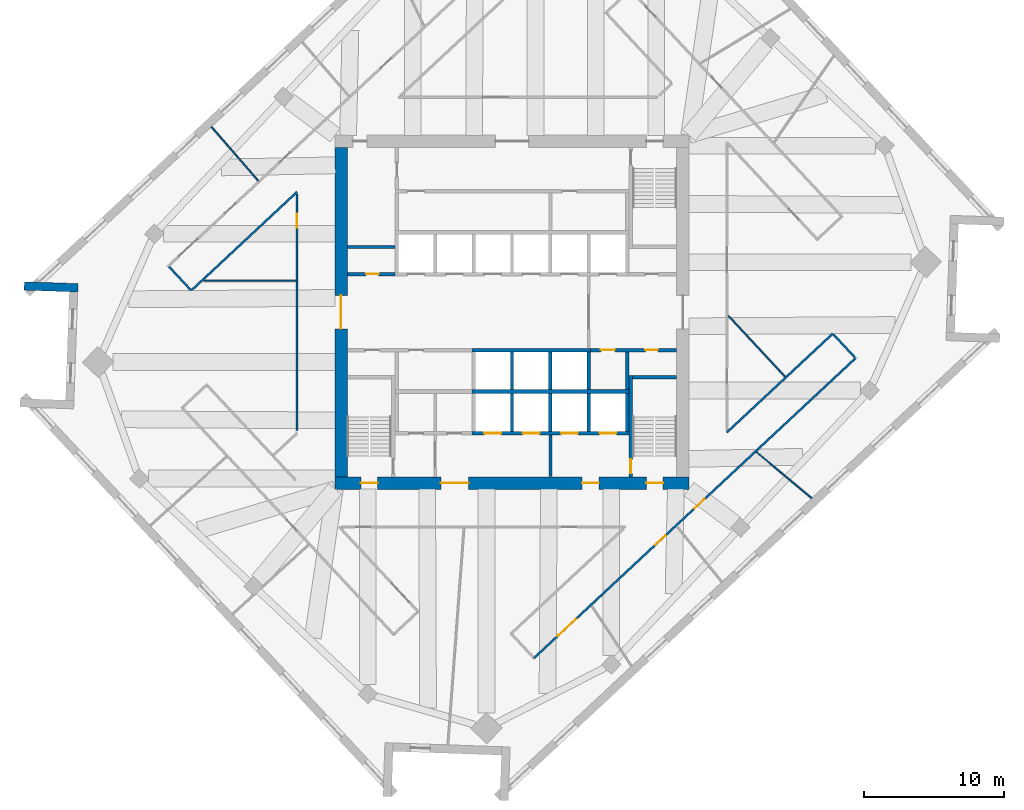
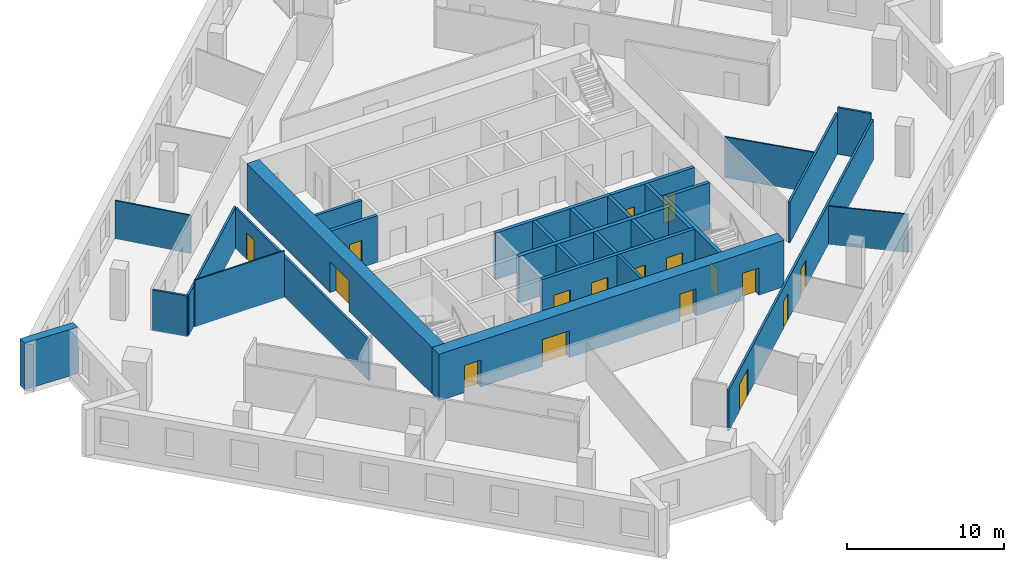
# One storey, part 5 of 10: 30 walls, 17 doors, 17 openings.
"""IFC4 building model written with IfcOpenShell, lengths in metres."""

from ifc_helpers import new_model, si_unit, direction, frame, frame_2d, origin, place, context, subcontext, project, spatial, rectangle, extrude, material, layer, layer_set, type_object, element, fill, save


model = new_model("IFC4")

# Units and contexts
model_context = context("Model", 3, precision=1e-05, world=origin(), true_north=direction((0.0, 1.0)))
body_context = subcontext(model_context, "Body", "Model", "MODEL_VIEW")
ifc_project = project(units=[si_unit("LENGTHUNIT", "METRE"), si_unit("AREAUNIT", "SQUARE_METRE"), si_unit("VOLUMEUNIT", "CUBIC_METRE"), si_unit("PLANEANGLEUNIT", "RADIAN"), si_unit("MASSUNIT", "GRAM", prefix="KILO")], contexts=[model_context])

# Site, building, storey
site_placement = place(None, origin())
site = spatial("IfcSite", under=ifc_project, at=site_placement, CompositionType="ELEMENT")
building_placement = place(site_placement, origin())
building = spatial("IfcBuilding", under=site, at=building_placement, Name="Dilmun Exchange Tower", CompositionType="ELEMENT")
storey_placement = place(building_placement, frame((0.0, 0.0, 201.300048828125)))
storey = spatial("IfcBuildingStorey", under=building, at=storey_placement, Name="L47", CompositionType="ELEMENT", Elevation=201.300048828125)

# Walls
ifc_material_1 = material(Name="Concrete C40/50", Category="concrete")
ifc_layer_1 = layer(ifc_material_1, 0.199951171875)
ifc_layer_set_1 = layer_set([ifc_layer_1], Name="Concrete C40/50")
wall_type_1 = type_object("IfcWallType", Name="Core partition wall 200", PredefinedType="PARTITIONING", material=ifc_layer_set_1)
wall_1_placement = place(storey_placement, frame((2.75, -11.794921875, 0.0), z_axis=(0.0, 0.0, 1.0), x_axis=(0.0, 1.0, 0.0)))
element("IfcWall", 1, at=wall_1_placement, inside=storey, type_object=wall_type_1, Name="L47 core partition wall 02", PredefinedType="PARTITIONING", context=body_context, shape_type="SweptSolid", body=[
    extrude(rectangle(XDim=2.989990234375, YDim=0.199951171875, at=frame_2d((1.4951171875, 0.0))), origin(), (0.0, 0.0, 1.0), 3.619873046875),
])
wall_2_placement = place(storey_placement, frame((-11.794921875, 4.675048828125, 0.0), z_axis=(0.0, 0.0, 1.0), x_axis=(1.0, 0.0, 0.0)))
element("IfcWall", 2, at=wall_2_placement, inside=storey, type_object=wall_type_1, Name="L47 core partition wall 14", PredefinedType="PARTITIONING", context=body_context, shape_type="SweptSolid", body=[
    extrude(rectangle(XDim=3.4150390625, YDim=0.199951171875, at=frame_2d((1.70751953125, 0.0))), origin(), (0.0, 0.0, 1.0), 3.619873046875),
])
ifc_layer_2 = layer(ifc_material_1, 0.25)
ifc_layer_set_2 = layer_set([ifc_layer_2], Name="Concrete C40/50")
wall_type_2 = type_object("IfcWallType", Name="Core partition wall 250", PredefinedType="PARTITIONING", material=ifc_layer_set_2)
wall_3_placement = place(storey_placement, frame((8.25, -5.544921875, 0.0), z_axis=(0.0, 0.0, 1.0), x_axis=(0.0, 1.0, 0.0)))
element("IfcWall", 3, at=wall_3_placement, inside=storey, type_object=wall_type_2, Name="L47 core partition wall 08", PredefinedType="PARTITIONING", context=body_context, shape_type="SweptSolid", body=[
    extrude(rectangle(XDim=2.68994140625, YDim=0.25, at=frame_2d((1.344970703125, 0.0))), origin(), (0.0, 0.0, 1.0), 3.619873046875),
])

# Wall, openings, doors
wall_4_placement = place(storey_placement, frame((5.6298828125, -2.72509765625, 0.0), z_axis=(0.0, 0.0, 1.0), x_axis=(1.0, 0.0, 0.0)))
wall_4 = element("IfcWall", 4, at=wall_4_placement, inside=storey, type_object=wall_type_2, Name="L47 core partition wall 10", PredefinedType="PARTITIONING", context=body_context, shape_type="SweptSolid", body=[
    extrude(rectangle(XDim=6.1650390625, YDim=0.25, at=frame_2d((3.08251953125, 0.0))), origin(), (0.0, 0.0, 1.0), 3.619873046875),
])
opening_1_placement = place(wall_4_placement, frame((0.7451171875, 0.0, 0.0)))
opening_1 = element("IfcOpeningElement", 5, at=opening_1_placement, cuts=wall_4, Name="Opening CD4", PredefinedType="OPENING", context=body_context, shape_type="SweptSolid", body=[
    extrude(rectangle(XDim=1.0, YDim=2.10009765625, at=frame_2d((0.5, 1.050048828125))), frame((0.0, 0.135009765625, 0.0), z_axis=(0.0, -1.0, 0.0), x_axis=(1.0, 0.0, 0.0)), (0.0, 0.0, 1.0), 0.27001953125),
])
opening_2_placement = place(wall_4_placement, frame((3.919921875, 0.0, 0.0)))
opening_2 = element("IfcOpeningElement", 6, at=opening_2_placement, cuts=wall_4, Name="Opening CD6", PredefinedType="OPENING", context=body_context, shape_type="SweptSolid", body=[
    extrude(rectangle(XDim=0.89990234375, YDim=2.10009765625, at=frame_2d((0.449951171875, 1.050048828125))), frame((0.0, 0.135009765625, 0.0), z_axis=(0.0, -1.0, 0.0), x_axis=(1.0, 0.0, 0.0)), (0.0, 0.0, 1.0), 0.27001953125),
])
ifc_material_2 = material(Name="Fire-rated steel door set", Category="steel")
door_type_1 = type_object("IfcDoorType", Name="Core room door 1000x2100", OperationType="SINGLE_SWING_LEFT", PredefinedType="DOOR", material=ifc_material_2)
door_1_placement = place(opening_1_placement, origin())
door_1 = element("IfcDoor", 7, at=door_1_placement, inside=storey, type_object=door_type_1, Name="L47 door Cleaners' store", OperationType="SINGLE_SWING_RIGHT", OverallHeight=2.10009765625, OverallWidth=1.0, PredefinedType="DOOR", context=body_context, shape_type="SweptSolid", body=[
    extrude(rectangle(XDim=1.0, YDim=2.10009765625, at=frame_2d((0.5, 1.050048828125))), frame((0.0, 0.02490234375, 0.0), z_axis=(0.0, -1.0, 0.0), x_axis=(1.0, 0.0, 0.0)), (0.0, 0.0, 1.0), 0.050048828125),
])
fill(opening_1, door_1)
door_type_2 = type_object("IfcDoorType", Name="Core room door 900x2100", OperationType="SINGLE_SWING_LEFT", PredefinedType="DOOR", material=ifc_material_2)
door_2_placement = place(opening_2_placement, origin())
door_2 = element("IfcDoor", 8, at=door_2_placement, inside=storey, type_object=door_type_2, Name="L47 door Comms riser", OperationType="SINGLE_SWING_RIGHT", OverallHeight=2.10009765625, OverallWidth=0.89990234375, PredefinedType="DOOR", context=body_context, shape_type="SweptSolid", body=[
    extrude(rectangle(XDim=0.89990234375, YDim=2.10009765625, at=frame_2d((0.449951171875, 1.050048828125))), frame((0.0, 0.02490234375, 0.0), z_axis=(0.0, -1.0, 0.0), x_axis=(1.0, 0.0, 0.0)), (0.0, 0.0, 1.0), 0.050048828125),
])
fill(opening_2, door_2)

# Wall, opening, door
wall_5_placement = place(storey_placement, frame((-11.794921875, 2.72509765625, 0.0), z_axis=(0.0, 0.0, 1.0), x_axis=(1.0, 0.0, 0.0)))
wall_5 = element("IfcWall", 9, at=wall_5_placement, inside=storey, type_object=wall_type_2, Name="L47 core partition wall 12", PredefinedType="PARTITIONING", context=body_context, shape_type="SweptSolid", body=[
    extrude(rectangle(XDim=3.4150390625, YDim=0.25, at=frame_2d((1.70751953125, 0.0))), origin(), (0.0, 0.0, 1.0), 3.619873046875),
])
opening_3_placement = place(wall_5_placement, frame((1.344970703125, 0.0, 0.0)))
opening_3 = element("IfcOpeningElement", 10, at=opening_3_placement, cuts=wall_5, Name="Opening CD6", PredefinedType="OPENING", context=body_context, shape_type="SweptSolid", body=[
    extrude(rectangle(XDim=0.89990234375, YDim=2.10009765625, at=frame_2d((0.449951171875, 1.050048828125))), frame((0.0, 0.135009765625, 0.0), z_axis=(0.0, -1.0, 0.0), x_axis=(1.0, 0.0, 0.0)), (0.0, 0.0, 1.0), 0.27001953125),
])
door_3_placement = place(opening_3_placement, origin())
door_3 = element("IfcDoor", 11, at=door_3_placement, inside=storey, type_object=door_type_2, Name="L47 door Plumbing riser", OperationType="SINGLE_SWING_RIGHT", OverallHeight=2.10009765625, OverallWidth=0.89990234375, PredefinedType="DOOR", context=body_context, shape_type="SweptSolid", body=[
    extrude(rectangle(XDim=0.89990234375, YDim=2.10009765625, at=frame_2d((0.449951171875, 1.050048828125))), frame((0.0, 0.02490234375, 0.0), z_axis=(0.0, -1.0, 0.0), x_axis=(1.0, 0.0, 0.0)), (0.0, 0.0, 1.0), 0.050048828125),
])
fill(opening_3, door_3)

# Wall, openings, doors
ifc_material_3 = material(Name="Concrete C60/75", Category="concrete")
ifc_layer_3 = layer(ifc_material_3, 0.89990234375)
ifc_layer_set_3 = layer_set([ifc_layer_3], Name="Concrete C60/75")
wall_type_3 = type_object("IfcWallType", Name="Core shear wall 900 Concrete C60/75", PredefinedType="SHEAR", material=ifc_layer_set_3)
wall_6_placement = place(storey_placement, frame((-12.699951171875, -12.25, 0.0), z_axis=(0.0, 0.0, 1.0), x_axis=(1.0, 0.0, 0.0)))
wall_6 = element("IfcWall", 12, at=wall_6_placement, inside=storey, type_object=wall_type_3, Name="L47 core shear wall S", PredefinedType="SHEAR", context=body_context, shape_type="SweptSolid", body=[
    extrude(rectangle(XDim=25.39990234375, YDim=0.89990234375, at=frame_2d((12.699951171875, 0.0))), origin(), (0.0, 0.0, 1.0), 3.619873046875),
])
opening_4_placement = place(wall_6_placement, frame((7.60009765625, 0.0, 0.0)))
opening_4 = element("IfcOpeningElement", 13, at=opening_4_placement, cuts=wall_6, Name="Opening CD2", PredefinedType="OPENING", context=body_context, shape_type="SweptSolid", body=[
    extrude(rectangle(XDim=2.0, YDim=2.10009765625, at=frame_2d((1.0, 1.050048828125))), frame((0.0, 0.4599609375, 0.0), z_axis=(0.0, -1.0, 0.0), x_axis=(1.0, 0.0, 0.0)), (0.0, 0.0, 1.0), 0.919921875),
])
opening_5_placement = place(wall_6_placement, frame((17.72509765625, 0.0, 0.0)))
opening_5 = element("IfcOpeningElement", 14, at=opening_5_placement, cuts=wall_6, Name="Opening CD3", PredefinedType="OPENING", context=body_context, shape_type="SweptSolid", body=[
    extrude(rectangle(XDim=1.199951171875, YDim=2.10009765625, at=frame_2d((0.60009765625, 1.050048828125))), frame((0.0, 0.4599609375, 0.0), z_axis=(0.0, -1.0, 0.0), x_axis=(1.0, 0.0, 0.0)), (0.0, 0.0, 1.0), 0.919921875),
])
opening_6_placement = place(wall_6_placement, frame((1.875, 0.0, 0.0)))
opening_6 = element("IfcOpeningElement", 15, at=opening_6_placement, cuts=wall_6, Name="Opening CD3", PredefinedType="OPENING", context=body_context, shape_type="SweptSolid", body=[
    extrude(rectangle(XDim=1.199951171875, YDim=2.10009765625, at=frame_2d((0.60009765625, 1.050048828125))), frame((0.0, 0.4599609375, 0.0), z_axis=(0.0, -1.0, 0.0), x_axis=(1.0, 0.0, 0.0)), (0.0, 0.0, 1.0), 0.919921875),
])
opening_7_placement = place(wall_6_placement, frame((22.324951171875, 0.0, 0.0)))
opening_7 = element("IfcOpeningElement", 16, at=opening_7_placement, cuts=wall_6, Name="Opening CD3", PredefinedType="OPENING", context=body_context, shape_type="SweptSolid", body=[
    extrude(rectangle(XDim=1.199951171875, YDim=2.10009765625, at=frame_2d((0.60009765625, 1.050048828125))), frame((0.0, 0.4599609375, 0.0), z_axis=(0.0, -1.0, 0.0), x_axis=(1.0, 0.0, 0.0)), (0.0, 0.0, 1.0), 0.919921875),
])
door_type_3 = type_object("IfcDoorType", Name="Core service door 2000x2100", OperationType="DOUBLE_DOOR_DOUBLE_SWING", PredefinedType="DOOR", material=ifc_material_2)
door_4_placement = place(opening_4_placement, origin())
door_4 = element("IfcDoor", 17, at=door_4_placement, inside=storey, type_object=door_type_3, Name="L47 door South service lobby", OperationType="SINGLE_SWING_LEFT", OverallHeight=2.10009765625, OverallWidth=2.0, PredefinedType="DOOR", context=body_context, shape_type="SweptSolid", body=[
    extrude(rectangle(XDim=2.0, YDim=2.10009765625, at=frame_2d((1.0, 1.050048828125))), frame((0.0, 0.02490234375, 0.0), z_axis=(0.0, -1.0, 0.0), x_axis=(1.0, 0.0, 0.0)), (0.0, 0.0, 1.0), 0.050048828125),
])
fill(opening_4, door_4)
door_type_4 = type_object("IfcDoorType", Name="Stair exit door 1200x2100", OperationType="SINGLE_SWING_LEFT", PredefinedType="DOOR", material=ifc_material_2)
door_5_placement = place(opening_5_placement, origin())
door_5 = element("IfcDoor", 18, at=door_5_placement, inside=storey, type_object=door_type_4, Name="L47 door Fire-fighting lobby", OperationType="SINGLE_SWING_LEFT", OverallHeight=2.10009765625, OverallWidth=1.199951171875, PredefinedType="DOOR", context=body_context, shape_type="SweptSolid", body=[
    extrude(rectangle(XDim=1.199951171875, YDim=2.10009765625, at=frame_2d((0.60009765625, 1.050048828125))), frame((0.0, 0.02490234375, 0.0), z_axis=(0.0, -1.0, 0.0), x_axis=(1.0, 0.0, 0.0)), (0.0, 0.0, 1.0), 0.050048828125),
])
fill(opening_5, door_5)
door_6_placement = place(opening_6_placement, origin())
door_6 = element("IfcDoor", 19, at=door_6_placement, inside=storey, type_object=door_type_4, Name="L47 door Stair ST2", OperationType="SINGLE_SWING_LEFT", OverallHeight=2.10009765625, OverallWidth=1.199951171875, PredefinedType="DOOR", context=body_context, shape_type="SweptSolid", body=[
    extrude(rectangle(XDim=1.199951171875, YDim=2.10009765625, at=frame_2d((0.60009765625, 1.050048828125))), frame((0.0, 0.02490234375, 0.0), z_axis=(0.0, -1.0, 0.0), x_axis=(1.0, 0.0, 0.0)), (0.0, 0.0, 1.0), 0.050048828125),
])
fill(opening_6, door_6)
door_7_placement = place(opening_7_placement, origin())
door_7 = element("IfcDoor", 20, at=door_7_placement, inside=storey, type_object=door_type_4, Name="L47 door Stair ST3", OperationType="SINGLE_SWING_LEFT", OverallHeight=2.10009765625, OverallWidth=1.199951171875, PredefinedType="DOOR", context=body_context, shape_type="SweptSolid", body=[
    extrude(rectangle(XDim=1.199951171875, YDim=2.10009765625, at=frame_2d((0.60009765625, 1.050048828125))), frame((0.0, 0.02490234375, 0.0), z_axis=(0.0, -1.0, 0.0), x_axis=(1.0, 0.0, 0.0)), (0.0, 0.0, 1.0), 0.050048828125),
])
fill(opening_7, door_7)

# Wall, opening, door
wall_7_placement = place(storey_placement, frame((-12.25, -11.800048828125, 0.0), z_axis=(0.0, 0.0, 1.0), x_axis=(0.0, 1.0, 0.0)))
wall_7 = element("IfcWall", 21, at=wall_7_placement, inside=storey, type_object=wall_type_3, Name="L47 core shear wall W", PredefinedType="SHEAR", context=body_context, shape_type="SweptSolid", body=[
    extrude(rectangle(XDim=23.60009765625, YDim=0.89990234375, at=frame_2d((11.800048828125, 0.0))), origin(), (0.0, 0.0, 1.0), 3.619873046875),
])
opening_8_placement = place(wall_7_placement, frame((10.60009765625, 0.0, 0.0)))
opening_8 = element("IfcOpeningElement", 22, at=opening_8_placement, cuts=wall_7, Name="Opening CD1", PredefinedType="OPENING", context=body_context, shape_type="SweptSolid", body=[
    extrude(rectangle(XDim=2.39990234375, YDim=2.39990234375, at=frame_2d((1.199951171875, 1.199951171875))), frame((0.0, 0.4599609375, 0.0), z_axis=(0.0, -1.0, 0.0), x_axis=(1.0, 0.0, 0.0)), (0.0, 0.0, 1.0), 0.919921875),
])
door_type_5 = type_object("IfcDoorType", Name="Core lobby door 2400x2400", OperationType="DOUBLE_DOOR_DOUBLE_SWING", PredefinedType="DOOR", material=ifc_material_2)
door_8_placement = place(opening_8_placement, origin())
door_8 = element("IfcDoor", 23, at=door_8_placement, inside=storey, type_object=door_type_5, Name="L47 door Central lift lobby", OperationType="SINGLE_SWING_LEFT", OverallHeight=2.39990234375, OverallWidth=2.39990234375, PredefinedType="DOOR", context=body_context, shape_type="SweptSolid", body=[
    extrude(rectangle(XDim=2.39990234375, YDim=2.39990234375, at=frame_2d((1.199951171875, 1.199951171875))), frame((0.0, 0.02490234375, 0.0), z_axis=(0.0, -1.0, 0.0), x_axis=(1.0, 0.0, 0.0)), (0.0, 0.0, 1.0), 0.050048828125),
])
fill(opening_8, door_8)

# Walls
ifc_material_4 = material(Name="Corridor wall 150")
ifc_layer_4 = layer(ifc_material_4, 0.14990234375)
ifc_layer_set_4 = layer_set([ifc_layer_4], Name="Corridor wall 150")
wall_type_4 = type_object("IfcWallType", Name="Corridor wall 150", PredefinedType="PARTITIONING", material=ifc_layer_set_4)
wall_8_placement = place(storey_placement, frame((-24.57177734375, 3.24609375, 0.0), z_axis=(0.0, 0.0, 1.0), x_axis=(0.682052557528, -0.73130315791, 0.0)))
element("IfcWall", 24, at=wall_8_placement, inside=storey, type_object=wall_type_4, Name="Corridor wall", PredefinedType="PARTITIONING", context=body_context, shape_type="SweptSolid", body=[
    extrude(rectangle(XDim=2.324951171875, YDim=0.14990234375, at=frame_2d((1.16259765625, 0.0))), origin(), (0.0, 0.0, 1.0), 3.169921875),
])
wall_9_placement = place(storey_placement, frame((-22.93115234375, 1.59716796875, 0.0), z_axis=(0.0, 0.0, 1.0), x_axis=(0.73135636677, 0.681995502027, 0.0)))
element("IfcWall", 25, at=wall_9_placement, inside=storey, type_object=wall_type_4, Name="Corridor wall", PredefinedType="PARTITIONING", context=body_context, shape_type="SweptSolid", body=[
    extrude(rectangle(XDim=10.297607421875, YDim=0.14990234375, at=frame_2d((5.14892578125, 0.0))), origin(), (0.0, 0.0, 1.0), 3.169921875),
])

# Wall, opening, door
wall_10_placement = place(storey_placement, frame((-15.39990234375, -8.50048828125, 0.0), z_axis=(0.0, 0.0, 1.0), x_axis=(0.0, 1.0, 0.0)))
wall_10 = element("IfcWall", 26, at=wall_10_placement, inside=storey, type_object=wall_type_4, Name="Corridor wall", PredefinedType="PARTITIONING", context=body_context, shape_type="SweptSolid", body=[
    extrude(rectangle(XDim=16.947998046875, YDim=0.14990234375, at=frame_2d((8.47412109375, 0.0))), origin(), (0.0, 0.0, 1.0), 3.169921875),
])
opening_9_placement = place(wall_10_placement, frame((14.55078125, 0.0, 0.0)))
opening_9 = element("IfcOpeningElement", 27, at=opening_9_placement, cuts=wall_10, Name="Opening TF46-D04", PredefinedType="OPENING", context=body_context, shape_type="SweptSolid", body=[
    extrude(rectangle(XDim=1.0, YDim=2.10009765625, at=frame_2d((0.5, 1.050048828125))), frame((0.0, 0.0849609375, 0.0), z_axis=(0.0, -1.0, 0.0), x_axis=(1.0, 0.0, 0.0)), (0.0, 0.0, 1.0), 0.169921875),
])
ifc_material_5 = material(Name="Fire door 1000 x 2100")
door_type_6 = type_object("IfcDoorType", Name="Fire door 1000 x 2100", OperationType="NOTDEFINED", PredefinedType="DOOR", material=ifc_material_5)
door_9_placement = place(opening_9_placement, origin())
door_9 = element("IfcDoor", 28, at=door_9_placement, inside=storey, type_object=door_type_6, Name="Door TF46-D04", OperationType="SINGLE_SWING_RIGHT", OverallHeight=2.10009765625, OverallWidth=1.0, PredefinedType="DOOR", context=body_context, shape_type="SweptSolid", body=[
    extrude(rectangle(XDim=1.0, YDim=2.10009765625, at=frame_2d((0.5, 1.050048828125))), frame((0.0, 0.02490234375, 0.0), z_axis=(0.0, -1.0, 0.0), x_axis=(1.0, 0.0, 0.0)), (0.0, 0.0, 1.0), 0.050048828125),
])
fill(opening_9, door_9)

# Wall, openings, doors
wall_11_placement = place(storey_placement, frame((1.575927734375, -24.79296875, 0.0), z_axis=(0.0, 0.0, 1.0), x_axis=(0.731351215564, 0.68200102602, 0.0)))
wall_11 = element("IfcWall", 29, at=wall_11_placement, inside=storey, type_object=wall_type_4, Name="Corridor wall", PredefinedType="PARTITIONING", context=body_context, shape_type="SweptSolid", body=[
    extrude(rectangle(XDim=31.51318359375, YDim=0.14990234375, at=frame_2d((15.756591796875, 0.0))), origin(), (0.0, 0.0, 1.0), 3.169921875),
])
opening_10_placement = place(wall_11_placement, frame((2.300048828125, 0.0, 0.0)))
opening_10 = element("IfcOpeningElement", 30, at=opening_10_placement, cuts=wall_11, Name="Opening TF46-D09", PredefinedType="OPENING", context=body_context, shape_type="SweptSolid", body=[
    extrude(rectangle(XDim=1.800048828125, YDim=2.10009765625, at=frame_2d((0.89990234375, 1.050048828125))), frame((0.0, 0.0849609375, 0.0), z_axis=(0.0, -1.0, 0.0), x_axis=(1.0, 0.0, 0.0)), (0.0, 0.0, 1.0), 0.169921875),
])
opening_11_placement = place(wall_11_placement, frame((11.88330078125, 0.0, 0.0)))
opening_11 = element("IfcOpeningElement", 31, at=opening_11_placement, cuts=wall_11, Name="Opening TF46-D13", PredefinedType="OPENING", context=body_context, shape_type="SweptSolid", body=[
    extrude(rectangle(XDim=1.0, YDim=2.10009765625, at=frame_2d((0.5, 1.050048828125))), frame((0.0, 0.0849609375, 0.0), z_axis=(0.0, -1.0, 0.0), x_axis=(1.0, 0.0, 0.0)), (0.0, 0.0, 1.0), 0.169921875),
])
opening_12_placement = place(wall_11_placement, frame((15.7255859375, 0.0, 0.0)))
opening_12 = element("IfcOpeningElement", 32, at=opening_12_placement, cuts=wall_11, Name="Opening TF46-D14", PredefinedType="OPENING", context=body_context, shape_type="SweptSolid", body=[
    extrude(rectangle(XDim=1.0, YDim=2.10009765625, at=frame_2d((0.5, 1.050048828125))), frame((0.0, 0.0849609375, 0.0), z_axis=(0.0, -1.0, 0.0), x_axis=(1.0, 0.0, 0.0)), (0.0, 0.0, 1.0), 0.169921875),
])
door_10_placement = place(opening_11_placement, frame((1.0, 0.0, 0.0), z_axis=(0.0, 0.0, 1.0), x_axis=(-1.0, 0.0, 0.0)))
door_10 = element("IfcDoor", 33, at=door_10_placement, inside=storey, type_object=door_type_6, Name="Door TF46-D13", OperationType="SINGLE_SWING_LEFT", OverallHeight=2.10009765625, OverallWidth=1.0, PredefinedType="DOOR", context=body_context, shape_type="SweptSolid", body=[
    extrude(rectangle(XDim=1.0, YDim=2.10009765625, at=frame_2d((0.5, 1.050048828125))), frame((0.0, 0.02490234375, 0.0), z_axis=(0.0, -1.0, 0.0), x_axis=(1.0, 0.0, 0.0)), (0.0, 0.0, 1.0), 0.050048828125),
])
fill(opening_11, door_10)
door_11_placement = place(opening_12_placement, frame((1.0, 0.0, 0.0), z_axis=(0.0, 0.0, 1.0), x_axis=(-1.0, 0.0, 0.0)))
door_11 = element("IfcDoor", 34, at=door_11_placement, inside=storey, type_object=door_type_6, Name="Door TF46-D14", OperationType="SINGLE_SWING_LEFT", OverallHeight=2.10009765625, OverallWidth=1.0, PredefinedType="DOOR", context=body_context, shape_type="SweptSolid", body=[
    extrude(rectangle(XDim=1.0, YDim=2.10009765625, at=frame_2d((0.5, 1.050048828125))), frame((0.0, 0.02490234375, 0.0), z_axis=(0.0, -1.0, 0.0), x_axis=(1.0, 0.0, 0.0)), (0.0, 0.0, 1.0), 0.050048828125),
])
fill(opening_12, door_11)
ifc_material_6 = material(Name="Fire door pair 1800 x 2100")
door_type_7 = type_object("IfcDoorType", Name="Fire door pair 1800 x 2100", OperationType="NOTDEFINED", PredefinedType="DOOR", material=ifc_material_6)
door_12_placement = place(opening_10_placement, frame((1.800048828125, 0.0, 0.0), z_axis=(0.0, 0.0, 1.0), x_axis=(-1.0, 0.0, 0.0)))
door_12 = element("IfcDoor", 35, at=door_12_placement, inside=storey, type_object=door_type_7, Name="Door TF46-D09", OperationType="DOUBLE_DOOR_SINGLE_SWING", OverallHeight=2.10009765625, OverallWidth=1.800048828125, PredefinedType="DOOR", context=body_context, shape_type="SweptSolid", body=[
    extrude(rectangle(XDim=1.800048828125, YDim=2.10009765625, at=frame_2d((0.89990234375, 1.050048828125))), frame((0.0, 0.02490234375, 0.0), z_axis=(0.0, -1.0, 0.0), x_axis=(1.0, 0.0, 0.0)), (0.0, 0.0, 1.0), 0.050048828125),
])
fill(opening_10, door_12)

# Walls
wall_12_placement = place(storey_placement, frame((15.39990234375, -8.6201171875, 0.0), z_axis=(0.0, 0.0, 1.0), x_axis=(0.731354186133, 0.681997840485, 0.0)))
element("IfcWall", 36, at=wall_12_placement, inside=storey, type_object=wall_type_4, Name="Corridor wall", PredefinedType="PARTITIONING", context=body_context, shape_type="SweptSolid", body=[
    extrude(rectangle(XDim=10.372802734375, YDim=0.14990234375, at=frame_2d((5.1865234375, 0.0))), origin(), (0.0, 0.0, 1.0), 3.169921875),
])
wall_13_placement = place(storey_placement, frame((23.037109375, -1.600830078125, 0.0), z_axis=(0.0, 0.0, 1.0), x_axis=(0.682101713431, -0.731257309388, 0.0)))
element("IfcWall", 37, at=wall_13_placement, inside=storey, type_object=wall_type_4, Name="Corridor wall", PredefinedType="PARTITIONING", context=body_context, shape_type="SweptSolid", body=[
    extrude(rectangle(XDim=2.25, YDim=0.14990234375, at=frame_2d((1.125, 0.0))), origin(), (0.0, 0.0, 1.0), 3.619873046875),
])
ifc_layer_5 = layer(ifc_material_1, 0.300048828125)
ifc_layer_set_5 = layer_set([ifc_layer_5], Name="Concrete C40/50")
wall_type_5 = type_object("IfcWallType", Name="Lift shaft shared wall 300", PredefinedType="SOLIDWALL", material=ifc_layer_set_5)
wall_14_placement = place(storey_placement, frame((-2.875, -5.699951171875, 0.0), z_axis=(0.0, 0.0, 1.0), x_axis=(1.0, 0.0, 0.0)))
element("IfcWall", 38, at=wall_14_placement, inside=storey, type_object=wall_type_5, Name="L47 lift shaft rear wall S", PredefinedType="SOLIDWALL", context=body_context, shape_type="SweptSolid", body=[
    extrude(rectangle(XDim=11.25, YDim=0.300048828125, at=frame_2d((5.625, 0.0))), origin(), (0.0, 0.0, 1.0), 3.619873046875),
])
ifc_layer_6 = layer(ifc_material_1, 0.25)
ifc_layer_set_6 = layer_set([ifc_layer_6], Name="Concrete C40/50")
wall_type_6 = type_object("IfcWallType", Name="Lift shaft wall 250", PredefinedType="SOLIDWALL", material=ifc_layer_set_6)
wall_15_placement = place(storey_placement, frame((-2.875, -2.72509765625, 0.0), z_axis=(0.0, 0.0, 1.0), x_axis=(1.0, 0.0, 0.0)))
element("IfcWall", 39, at=wall_15_placement, inside=storey, type_object=wall_type_6, Name="L47 lift shaft front wall S1", PredefinedType="SOLIDWALL", context=body_context, shape_type="SweptSolid", body=[
    extrude(rectangle(XDim=8.5, YDim=0.25, at=frame_2d((4.25, 0.0))), origin(), (0.0, 0.0, 1.0), 3.619873046875),
])
for number, where, z_axis, x_axis, name in (
    (40, (0.0, -5.550048828125, 0.0), (0.0, 0.0, 1.0), (0.0, 1.0, 0.0), "L47 lift shaft divider S13"),
    (41, (2.75, -5.550048828125, 0.0), (0.0, 0.0, 1.0), (0.0, 1.0, 0.0), "L47 lift shaft divider S14"),
    (42, (5.5, -5.550048828125, 0.0), (0.0, 0.0, 1.0), (0.0, 1.0, 0.0), "L47 lift shaft divider S15"),
):
    element("IfcWall", number, at=place(storey_placement, frame(where, z_axis=z_axis, x_axis=x_axis)), inside=storey, type_object=wall_type_6, Name=name, PredefinedType="SOLIDWALL", context=body_context, shape_type="SweptSolid", body=[
        extrude(rectangle(XDim=2.699951171875, YDim=0.25, at=frame_2d((1.35009765625, 0.0))), origin(), (0.0, 0.0, 1.0), 3.619873046875),
    ])

# Wall, openings, doors
wall_16_placement = place(storey_placement, frame((-2.875, -8.675048828125, 0.0), z_axis=(0.0, 0.0, 1.0), x_axis=(1.0, 0.0, 0.0)))
wall_16 = element("IfcWall", 43, at=wall_16_placement, inside=storey, type_object=wall_type_6, Name="L47 lift shaft front wall S2", PredefinedType="SOLIDWALL", context=body_context, shape_type="SweptSolid", body=[
    extrude(rectangle(XDim=11.25, YDim=0.25, at=frame_2d((5.625, 0.0))), origin(), (0.0, 0.0, 1.0), 3.619873046875),
])
opening_13_placement = place(wall_16_placement, frame((0.89990234375, 0.0, 0.0)))
opening_13 = element("IfcOpeningElement", 44, at=opening_13_placement, cuts=wall_16, Name="Opening LD", PredefinedType="OPENING", context=body_context, shape_type="SweptSolid", body=[
    extrude(rectangle(XDim=1.199951171875, YDim=2.10009765625, at=frame_2d((0.60009765625, 1.050048828125))), frame((0.0, 0.135009765625, 0.0), z_axis=(0.0, -1.0, 0.0), x_axis=(1.0, 0.0, 0.0)), (0.0, 0.0, 1.0), 0.27001953125),
])
opening_14_placement = place(wall_16_placement, frame((3.64990234375, 0.0, 0.0)))
opening_14 = element("IfcOpeningElement", 45, at=opening_14_placement, cuts=wall_16, Name="Opening LD", PredefinedType="OPENING", context=body_context, shape_type="SweptSolid", body=[
    extrude(rectangle(XDim=1.199951171875, YDim=2.10009765625, at=frame_2d((0.60009765625, 1.050048828125))), frame((0.0, 0.135009765625, 0.0), z_axis=(0.0, -1.0, 0.0), x_axis=(1.0, 0.0, 0.0)), (0.0, 0.0, 1.0), 0.27001953125),
])
opening_15_placement = place(wall_16_placement, frame((6.39990234375, 0.0, 0.0)))
opening_15 = element("IfcOpeningElement", 46, at=opening_15_placement, cuts=wall_16, Name="Opening LD", PredefinedType="OPENING", context=body_context, shape_type="SweptSolid", body=[
    extrude(rectangle(XDim=1.199951171875, YDim=2.10009765625, at=frame_2d((0.60009765625, 1.050048828125))), frame((0.0, 0.135009765625, 0.0), z_axis=(0.0, -1.0, 0.0), x_axis=(1.0, 0.0, 0.0)), (0.0, 0.0, 1.0), 0.27001953125),
])
opening_16_placement = place(wall_16_placement, frame((9.14990234375, 0.0, 0.0)))
opening_16 = element("IfcOpeningElement", 47, at=opening_16_placement, cuts=wall_16, Name="Opening LD", PredefinedType="OPENING", context=body_context, shape_type="SweptSolid", body=[
    extrude(rectangle(XDim=1.199951171875, YDim=2.10009765625, at=frame_2d((0.60009765625, 1.050048828125))), frame((0.0, 0.135009765625, 0.0), z_axis=(0.0, -1.0, 0.0), x_axis=(1.0, 0.0, 0.0)), (0.0, 0.0, 1.0), 0.27001953125),
])
door_type_8 = type_object("IfcDoorType", Name="Lift landing door 1200x2100", OperationType="DOUBLE_DOOR_SLIDING", PredefinedType="DOOR", material=ifc_material_2)
door_13_placement = place(opening_13_placement, origin())
door_13 = element("IfcDoor", 48, at=door_13_placement, inside=storey, type_object=door_type_8, Name="L47 landing door SV1", OperationType="DOUBLE_DOOR_SLIDING", OverallHeight=2.10009765625, OverallWidth=1.199951171875, PredefinedType="DOOR", context=body_context, shape_type="SweptSolid", body=[
    extrude(rectangle(XDim=1.199951171875, YDim=2.10009765625, at=frame_2d((0.60009765625, 1.050048828125))), frame((0.0, 0.02490234375, 0.0), z_axis=(0.0, -1.0, 0.0), x_axis=(1.0, 0.0, 0.0)), (0.0, 0.0, 1.0), 0.050048828125),
])
fill(opening_13, door_13)
door_14_placement = place(opening_14_placement, origin())
door_14 = element("IfcDoor", 49, at=door_14_placement, inside=storey, type_object=door_type_8, Name="L47 landing door SV2", OperationType="DOUBLE_DOOR_SLIDING", OverallHeight=2.10009765625, OverallWidth=1.199951171875, PredefinedType="DOOR", context=body_context, shape_type="SweptSolid", body=[
    extrude(rectangle(XDim=1.199951171875, YDim=2.10009765625, at=frame_2d((0.60009765625, 1.050048828125))), frame((0.0, 0.02490234375, 0.0), z_axis=(0.0, -1.0, 0.0), x_axis=(1.0, 0.0, 0.0)), (0.0, 0.0, 1.0), 0.050048828125),
])
fill(opening_14, door_14)
door_15_placement = place(opening_15_placement, origin())
door_15 = element("IfcDoor", 50, at=door_15_placement, inside=storey, type_object=door_type_8, Name="L47 landing door FF1", OperationType="DOUBLE_DOOR_SLIDING", OverallHeight=2.10009765625, OverallWidth=1.199951171875, PredefinedType="DOOR", context=body_context, shape_type="SweptSolid", body=[
    extrude(rectangle(XDim=1.199951171875, YDim=2.10009765625, at=frame_2d((0.60009765625, 1.050048828125))), frame((0.0, 0.02490234375, 0.0), z_axis=(0.0, -1.0, 0.0), x_axis=(1.0, 0.0, 0.0)), (0.0, 0.0, 1.0), 0.050048828125),
])
fill(opening_15, door_15)
door_16_placement = place(opening_16_placement, origin())
door_16 = element("IfcDoor", 51, at=door_16_placement, inside=storey, type_object=door_type_8, Name="L47 landing door FF2", OperationType="DOUBLE_DOOR_SLIDING", OverallHeight=2.10009765625, OverallWidth=1.199951171875, PredefinedType="DOOR", context=body_context, shape_type="SweptSolid", body=[
    extrude(rectangle(XDim=1.199951171875, YDim=2.10009765625, at=frame_2d((0.60009765625, 1.050048828125))), frame((0.0, 0.02490234375, 0.0), z_axis=(0.0, -1.0, 0.0), x_axis=(1.0, 0.0, 0.0)), (0.0, 0.0, 1.0), 0.050048828125),
])
fill(opening_16, door_16)

# Walls
for number, where, z_axis, x_axis, name in (
    (52, (0.0, -8.550048828125, 0.0), (0.0, 0.0, 1.0), (0.0, 1.0, 0.0), "L47 lift shaft divider S23"),
    (53, (2.75, -8.550048828125, 0.0), (0.0, 0.0, 1.0), (0.0, 1.0, 0.0), "L47 lift shaft divider S24"),
    (54, (5.5, -8.550048828125, 0.0), (0.0, 0.0, 1.0), (0.0, 1.0, 0.0), "L47 lift shaft divider S25"),
    (55, (8.25, -8.550048828125, 0.0), (0.0, 0.0, 1.0), (0.0, 1.0, 0.0), "L47 lift shaft divider S26"),
):
    element("IfcWall", number, at=place(storey_placement, frame(where, z_axis=z_axis, x_axis=x_axis)), inside=storey, type_object=wall_type_6, Name=name, PredefinedType="SOLIDWALL", context=body_context, shape_type="SweptSolid", body=[
        extrude(rectangle(XDim=2.699951171875, YDim=0.25, at=frame_2d((1.35009765625, 0.0))), origin(), (0.0, 0.0, 1.0), 3.619873046875),
    ])
ifc_material_7 = material(Name="Partition 100")
ifc_layer_7 = layer(ifc_material_7, 0.10009765625)
ifc_layer_set_7 = layer_set([ifc_layer_7], Name="Partition 100")
wall_type_7 = type_object("IfcWallType", Name="Partition 100", PredefinedType="PARTITIONING", material=ifc_layer_set_7)
wall_17_placement = place(storey_placement, frame((-22.0673828125, 2.25, 0.0), z_axis=(0.0, 0.0, 1.0), x_axis=(1.0, 0.0, 0.0)))
element("IfcWall", 56, at=wall_17_placement, inside=storey, type_object=wall_type_7, Name="Partition", PredefinedType="PARTITIONING", context=body_context, shape_type="SweptSolid", body=[
    extrude(rectangle(XDim=6.59228515625, YDim=0.10009765625, at=frame_2d((3.296142578125, 0.0))), origin(), (0.0, 0.0, 1.0), 3.619873046875),
])
wall_18_placement = place(storey_placement, frame((-21.54150390625, 13.272216796875, 0.0), z_axis=(0.0, 0.0, 1.0), x_axis=(0.655282861231, -0.755383592472, 0.0)))
element("IfcWall", 57, at=wall_18_placement, inside=storey, type_object=wall_type_7, Name="Partition", PredefinedType="PARTITIONING", context=body_context, shape_type="SweptSolid", body=[
    extrude(rectangle(XDim=5.116943359375, YDim=0.10009765625, at=frame_2d((2.55859375, 0.0))), origin(), (0.0, 0.0, 1.0), 2.969970703125),
])
wall_19_placement = place(storey_placement, frame((15.51171875, -0.276611328125, 0.0), z_axis=(0.0, 0.0, 1.0), x_axis=(0.681935181867, -0.731412611138, 0.0)))
element("IfcWall", 58, at=wall_19_placement, inside=storey, type_object=wall_type_7, Name="Partition", PredefinedType="PARTITIONING", context=body_context, shape_type="SweptSolid", body=[
    extrude(rectangle(XDim=5.950927734375, YDim=0.10009765625, at=frame_2d((2.9755859375, 0.0))), origin(), (0.0, 0.0, 1.0), 3.169921875),
])
wall_20_placement = place(storey_placement, frame((17.526611328125, -10.029541015625, 0.0), z_axis=(0.0, 0.0, 1.0), x_axis=(0.76649272058, -0.642252994775, 0.0)))
element("IfcWall", 59, at=wall_20_placement, inside=storey, type_object=wall_type_7, Name="Partition", PredefinedType="PARTITIONING", context=body_context, shape_type="SweptSolid", body=[
    extrude(rectangle(XDim=5.1484375, YDim=0.10009765625, at=frame_2d((2.57421875, 0.0))), origin(), (0.0, 0.0, 1.0), 2.969970703125),
])
ifc_material_8 = material(Name="Precast concrete C50/60", Category="concrete")
ifc_layer_8 = layer(ifc_material_8, 0.60009765625)
ifc_layer_set_8 = layer_set([ifc_layer_8], Name="Precast concrete C50/60")
wall_type_8 = type_object("IfcWallType", Name="Precast stone-clad wall 600", PredefinedType="STANDARD", material=ifc_layer_set_8)
wall_21_placement = place(storey_placement, frame((-34.957763671875, 1.874755859375, 0.0), z_axis=(0.0, 0.0, 1.0), x_axis=(0.999390522456, -0.034908217157, 0.0)))
element("IfcWall", 60, at=wall_21_placement, inside=storey, type_object=wall_type_8, Name="Facade wall L47-04", PredefinedType="STANDARD", context=body_context, shape_type="SweptSolid", body=[
    extrude(rectangle(XDim=3.8466796875, YDim=0.60009765625, at=frame_2d((1.92333984375, 0.0))), origin(), (0.0, 0.0, 1.0), 3.619873046875),
])
ifc_layer_9 = layer(ifc_material_1, 0.25)
ifc_layer_set_9 = layer_set([ifc_layer_9], Name="Concrete C40/50")
wall_type_9 = type_object("IfcWallType", Name="Stair end wall 250", PredefinedType="SOLIDWALL", material=ifc_layer_set_9)
wall_22_placement = place(storey_placement, frame((8.64990234375, -4.675048828125, 0.0), z_axis=(0.0, 0.0, 1.0), x_axis=(1.0, 0.0, 0.0)))
element("IfcWall", 61, at=wall_22_placement, inside=storey, type_object=wall_type_9, Name="L47 ST3 far wall", PredefinedType="SOLIDWALL", context=body_context, shape_type="SweptSolid", body=[
    extrude(rectangle(XDim=3.150146484375, YDim=0.25, at=frame_2d((1.5751953125, 0.0))), origin(), (0.0, 0.0, 1.0), 3.619873046875),
])

# Wall, opening, door
ifc_layer_10 = layer(ifc_material_1, 0.27490234375)
ifc_layer_set_10 = layer_set([ifc_layer_10], Name="Concrete C40/50")
wall_type_10 = type_object("IfcWallType", Name="Stair wall 275", PredefinedType="SOLIDWALL", material=ifc_layer_set_10)
wall_23_placement = place(storey_placement, frame((8.512451171875, -4.550048828125, 0.0), z_axis=(0.0, 0.0, 1.0), x_axis=(0.0, -1.0, 0.0)))
wall_23 = element("IfcWall", 62, at=wall_23_placement, inside=storey, type_object=wall_type_10, Name="L47 ST3 wall to lift block", PredefinedType="SOLIDWALL", context=body_context, shape_type="SweptSolid", body=[
    extrude(rectangle(XDim=7.25, YDim=0.27490234375, at=frame_2d((3.625, 0.0))), origin(), (0.0, 0.0, 1.0), 3.619873046875),
])
opening_17_placement = place(wall_23_placement, frame((6.0, 0.0, 0.0)))
opening_17 = element("IfcOpeningElement", 63, at=opening_17_placement, cuts=wall_23, Name="Opening CD4", PredefinedType="OPENING", context=body_context, shape_type="SweptSolid", body=[
    extrude(rectangle(XDim=1.0, YDim=2.10009765625, at=frame_2d((0.5, 1.050048828125))), frame((0.0, 0.1474609375, 0.0), z_axis=(0.0, -1.0, 0.0), x_axis=(1.0, 0.0, 0.0)), (0.0, 0.0, 1.0), 0.294921875),
])
door_17_placement = place(opening_17_placement, origin())
door_17 = element("IfcDoor", 64, at=door_17_placement, inside=storey, type_object=door_type_1, Name="L47 door ST3 from lobby", OperationType="SINGLE_SWING_LEFT", OverallHeight=2.10009765625, OverallWidth=1.0, PredefinedType="DOOR", context=body_context, shape_type="SweptSolid", body=[
    extrude(rectangle(XDim=1.0, YDim=2.10009765625, at=frame_2d((0.5, 1.050048828125))), frame((0.0, 0.02490234375, 0.0), z_axis=(0.0, -1.0, 0.0), x_axis=(1.0, 0.0, 0.0)), (0.0, 0.0, 1.0), 0.050048828125),
])
fill(opening_17, door_17)

save(model, "model.ifc")
